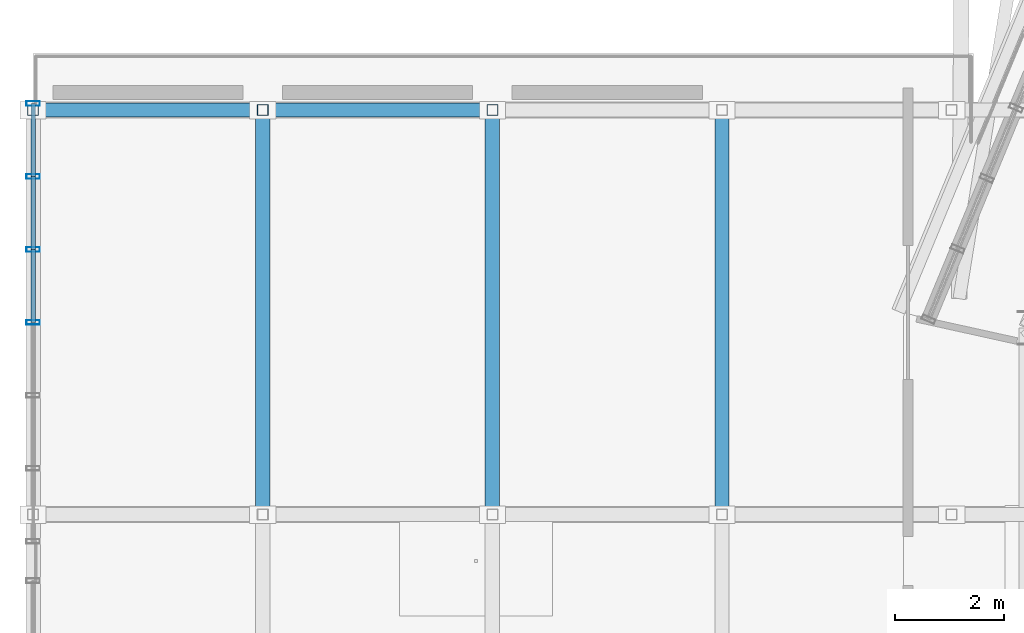
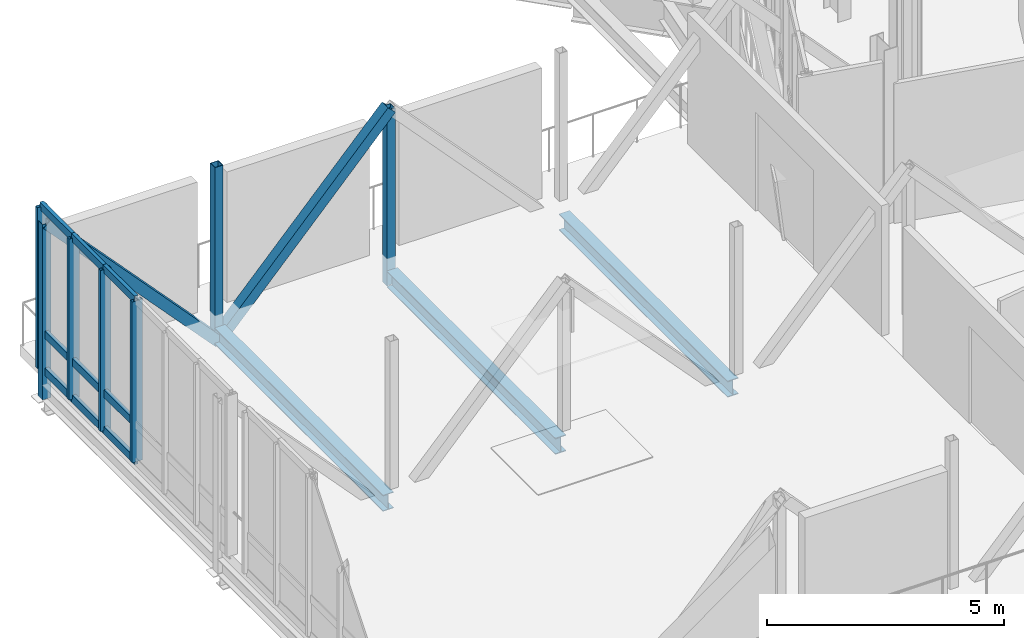
# One storey, part 50 of 139: 18 members, 3 beams, 1 element without a shape of its own.
"""IFC4 building model written with IfcOpenShell, lengths in metres."""

from ifc_helpers import new_model, si_unit, derived_unit, direction, frame, origin, origin_2d, place, context, subcontext, project, spatial, hollow_rectangle, i_section, extrude, material, layer, layer_set, material_profile, profile_set, type_object, element, aggregate, save


model = new_model("IFC4")

# Units and contexts
model_context = context("Model", 3, precision=1e-05, world=origin(), true_north=direction((0.0, 1.0)))
body_context = subcontext(model_context, "Body", "Model", "MODEL_VIEW")
ifc_project = project(units=[si_unit("LENGTHUNIT", "METRE"), si_unit("AREAUNIT", "SQUARE_METRE"), si_unit("VOLUMEUNIT", "CUBIC_METRE"), si_unit("PLANEANGLEUNIT", "RADIAN"), si_unit("MASSUNIT", "GRAM", prefix="KILO"), derived_unit("THERMALTRANSMITTANCEUNIT", [(si_unit("MASSUNIT", "GRAM", prefix="KILO"), 1), (si_unit("TIMEUNIT", "SECOND"), -3), (si_unit("THERMODYNAMICTEMPERATUREUNIT", "KELVIN"), -1)])], contexts=[model_context])

# Site, building, storey
site_placement = place(None, origin())
site = spatial("IfcSite", under=ifc_project, at=site_placement, CompositionType="ELEMENT")
building_placement = place(site_placement, origin())
building = spatial("IfcBuilding", under=site, at=building_placement, Name="Makaiwela Harbour Ferry Terminal", CompositionType="ELEMENT")
storey_placement = place(building_placement, frame((0.0, 0.0, 5.10009765625)))
storey = spatial("IfcBuildingStorey", under=building, at=storey_placement, Name="L01", CompositionType="ELEMENT", Elevation=5.10009765625)

# Curtain wall, members
ifc_material_1 = material(Name="Marine anodised aluminium 6063-T6", Category="aluminium")
ifc_layer = layer(ifc_material_1, 0.199951171875)
ifc_layer_set = layer_set([ifc_layer], Name="Marine anodised aluminium 6063-T6")
curtain_wall_type = type_object("IfcCurtainWallType", Name="ENV-CW-22", PredefinedType="USERDEFINED", material=ifc_layer_set)
curtain_wall_placement = place(storey_placement, origin())
curtain_wall = element("IfcCurtainWall", 1, at=curtain_wall_placement, inside=storey, type_object=curtain_wall_type, Name="Unitised Curtain Wall CWA-137", ObjectType="UNITIZED CURTAIN WALL", PredefinedType="USERDEFINED")
ifc_material_profile_1 = material_profile(ifc_material_1, hollow_rectangle(XDim=0.0849609375, YDim=0.25, WallThickness=0.0048828125, at=origin_2d()), Name="CWM-250X85")
ifc_profile_set_1 = profile_set([ifc_material_profile_1], Name="Marine anodised aluminium 6063-T6")
member_type_1 = type_object("IfcMemberType", Name="CW-MUL-250", PredefinedType="MULLION", material=ifc_profile_set_1)
member_1_placement = place(storey_placement, frame((0.0, 71.965087890625, 0.0), z_axis=(0.0, 0.0, 1.0), x_axis=(0.0, 1.0, 0.0)))
member_1 = element("IfcMember", 2, at=member_1_placement, type_object=member_type_1, Name="Curtain Wall Mullion CWA-137-4", PredefinedType="MULLION", context=body_context, shape_type="SweptSolid", body=[
    extrude(hollow_rectangle(XDim=0.0849609375, YDim=0.25, WallThickness=0.0048828125, at=origin_2d()), origin(), (0.0, 0.0, 1.0), 4.14990234375),
])
member_2_placement = place(storey_placement, frame((0.0, 73.300048828125, 0.0), z_axis=(0.0, 0.0, 1.0), x_axis=(0.0, 1.0, 0.0)))
member_2 = element("IfcMember", 3, at=member_2_placement, type_object=member_type_1, Name="Curtain Wall Mullion CWA-137-5", PredefinedType="MULLION", context=body_context, shape_type="SweptSolid", body=[
    extrude(hollow_rectangle(XDim=0.0849609375, YDim=0.25, WallThickness=0.0048828125, at=origin_2d()), origin(), (0.0, 0.0, 1.0), 4.14990234375),
])
member_3_placement = place(storey_placement, frame((0.0, 74.635009765625, 0.0), z_axis=(0.0, 0.0, 1.0), x_axis=(0.0, 1.0, 0.0)))
member_3 = element("IfcMember", 4, at=member_3_placement, type_object=member_type_1, Name="Curtain Wall Mullion CWA-137-6", PredefinedType="MULLION", context=body_context, shape_type="SweptSolid", body=[
    extrude(hollow_rectangle(XDim=0.0849609375, YDim=0.25, WallThickness=0.0048828125, at=origin_2d()), origin(), (0.0, 0.0, 1.0), 4.14990234375),
])
member_4_placement = place(storey_placement, frame((0.0, 75.969970703125, 0.0), z_axis=(0.0, 0.0, 1.0), x_axis=(0.0, 1.0, 0.0)))
member_4 = element("IfcMember", 5, at=member_4_placement, type_object=member_type_1, Name="Curtain Wall Mullion CWA-137-7", PredefinedType="MULLION", context=body_context, shape_type="SweptSolid", body=[
    extrude(hollow_rectangle(XDim=0.0849609375, YDim=0.25, WallThickness=0.0048828125, at=origin_2d()), origin(), (0.0, 0.0, 1.0), 4.14990234375),
])
ifc_material_profile_2 = material_profile(ifc_material_1, hollow_rectangle(XDim=0.0849609375, YDim=0.199951171875, WallThickness=0.0048828125, at=origin_2d()), Name="CWT-200X85")
ifc_profile_set_2 = profile_set([ifc_material_profile_2], Name="Marine anodised aluminium 6063-T6")
member_type_2 = type_object("IfcMemberType", Name="CW-TRN-200", PredefinedType="USERDEFINED", material=ifc_profile_set_2)
member_5_placement = place(storey_placement, frame((0.0, 71.965087890625, 0.0), z_axis=(0.0, 1.0, 0.0), x_axis=(-1.0, 0.0, 0.0)))
member_5 = element("IfcMember", 6, at=member_5_placement, type_object=member_type_2, Name="Curtain Wall Transom CWA-137-4-1", ObjectType="TRANSOM", PredefinedType="USERDEFINED", context=body_context, shape_type="SweptSolid", body=[
    extrude(hollow_rectangle(XDim=0.0849609375, YDim=0.199951171875, WallThickness=0.0048828125, at=origin_2d()), origin(), (0.0, 0.0, 1.0), 1.3349609375),
])
member_6_placement = place(storey_placement, frame((0.0, 71.965087890625, 0.949951171875), z_axis=(0.0, 1.0, 0.0), x_axis=(-1.0, 0.0, 0.0)))
member_6 = element("IfcMember", 7, at=member_6_placement, type_object=member_type_2, Name="Curtain Wall Transom CWA-137-4-2", ObjectType="TRANSOM", PredefinedType="USERDEFINED", context=body_context, shape_type="SweptSolid", body=[
    extrude(hollow_rectangle(XDim=0.0849609375, YDim=0.199951171875, WallThickness=0.0048828125, at=origin_2d()), origin(), (0.0, 0.0, 1.0), 1.3349609375),
])
member_7_placement = place(storey_placement, frame((0.0, 71.965087890625, 4.14990234375), z_axis=(0.0, 1.0, 0.0), x_axis=(-1.0, 0.0, 0.0)))
member_7 = element("IfcMember", 8, at=member_7_placement, type_object=member_type_2, Name="Curtain Wall Transom CWA-137-4-3", ObjectType="TRANSOM", PredefinedType="USERDEFINED", context=body_context, shape_type="SweptSolid", body=[
    extrude(hollow_rectangle(XDim=0.0849609375, YDim=0.199951171875, WallThickness=0.0048828125, at=origin_2d()), origin(), (0.0, 0.0, 1.0), 1.3349609375),
])
member_8_placement = place(storey_placement, frame((0.0, 73.300048828125, 0.0), z_axis=(0.0, 1.0, 0.0), x_axis=(-1.0, 0.0, 0.0)))
member_8 = element("IfcMember", 9, at=member_8_placement, type_object=member_type_2, Name="Curtain Wall Transom CWA-137-5-1", ObjectType="TRANSOM", PredefinedType="USERDEFINED", context=body_context, shape_type="SweptSolid", body=[
    extrude(hollow_rectangle(XDim=0.0849609375, YDim=0.199951171875, WallThickness=0.0048828125, at=origin_2d()), origin(), (0.0, 0.0, 1.0), 1.3349609375),
])
member_9_placement = place(storey_placement, frame((0.0, 73.300048828125, 0.949951171875), z_axis=(0.0, 1.0, 0.0), x_axis=(-1.0, 0.0, 0.0)))
member_9 = element("IfcMember", 10, at=member_9_placement, type_object=member_type_2, Name="Curtain Wall Transom CWA-137-5-2", ObjectType="TRANSOM", PredefinedType="USERDEFINED", context=body_context, shape_type="SweptSolid", body=[
    extrude(hollow_rectangle(XDim=0.0849609375, YDim=0.199951171875, WallThickness=0.0048828125, at=origin_2d()), origin(), (0.0, 0.0, 1.0), 1.3349609375),
])
member_10_placement = place(storey_placement, frame((0.0, 73.300048828125, 4.14990234375), z_axis=(0.0, 1.0, 0.0), x_axis=(-1.0, 0.0, 0.0)))
member_10 = element("IfcMember", 11, at=member_10_placement, type_object=member_type_2, Name="Curtain Wall Transom CWA-137-5-3", ObjectType="TRANSOM", PredefinedType="USERDEFINED", context=body_context, shape_type="SweptSolid", body=[
    extrude(hollow_rectangle(XDim=0.0849609375, YDim=0.199951171875, WallThickness=0.0048828125, at=origin_2d()), origin(), (0.0, 0.0, 1.0), 1.3349609375),
])
member_11_placement = place(storey_placement, frame((0.0, 74.635009765625, 0.0), z_axis=(0.0, 1.0, 0.0), x_axis=(-1.0, 0.0, 0.0)))
member_11 = element("IfcMember", 12, at=member_11_placement, type_object=member_type_2, Name="Curtain Wall Transom CWA-137-6-1", ObjectType="TRANSOM", PredefinedType="USERDEFINED", context=body_context, shape_type="SweptSolid", body=[
    extrude(hollow_rectangle(XDim=0.0849609375, YDim=0.199951171875, WallThickness=0.0048828125, at=origin_2d()), origin(), (0.0, 0.0, 1.0), 1.3349609375),
])
member_12_placement = place(storey_placement, frame((0.0, 74.635009765625, 0.949951171875), z_axis=(0.0, 1.0, 0.0), x_axis=(-1.0, 0.0, 0.0)))
member_12 = element("IfcMember", 13, at=member_12_placement, type_object=member_type_2, Name="Curtain Wall Transom CWA-137-6-2", ObjectType="TRANSOM", PredefinedType="USERDEFINED", context=body_context, shape_type="SweptSolid", body=[
    extrude(hollow_rectangle(XDim=0.0849609375, YDim=0.199951171875, WallThickness=0.0048828125, at=origin_2d()), origin(), (0.0, 0.0, 1.0), 1.3349609375),
])
member_13_placement = place(storey_placement, frame((0.0, 74.635009765625, 4.14990234375), z_axis=(0.0, 1.0, 0.0), x_axis=(-1.0, 0.0, 0.0)))
member_13 = element("IfcMember", 14, at=member_13_placement, type_object=member_type_2, Name="Curtain Wall Transom CWA-137-6-3", ObjectType="TRANSOM", PredefinedType="USERDEFINED", context=body_context, shape_type="SweptSolid", body=[
    extrude(hollow_rectangle(XDim=0.0849609375, YDim=0.199951171875, WallThickness=0.0048828125, at=origin_2d()), origin(), (0.0, 0.0, 1.0), 1.3349609375),
])
aggregate(curtain_wall, [member_1, member_2, member_3, member_4, member_5, member_6, member_7, member_8, member_9, member_10, member_11, member_12, member_13])

# Members
ifc_material_2 = material(Name="Steel ASTM A500 Grade C", Category="steel")
ifc_material_profile_3 = material_profile(ifc_material_2, hollow_rectangle(XDim=0.25390625, YDim=0.25390625, WallThickness=0.0146484375, at=origin_2d()), Name="HSS10X10X5/8")
ifc_profile_set_3 = profile_set([ifc_material_profile_3], Name="Steel ASTM A500 Grade C")
member_type_3 = type_object("IfcMemberType", Name="STR-BRC-HSS10", PredefinedType="BRACE", material=ifc_profile_set_3)
for number, where, z_axis, x_axis, name in (
    (15, (8.39990234375, 75.85009765625, 3.814453125), (-0.680693892275, 0.0, -0.732567966144), (0.0, -1.0, 0.0), "Structural Member BR-01"),
    (16, (4.199951171875, 75.85009765625, -0.70556640625), (-0.680693892275, 0.0, 0.732567966144), (0.0, -1.0, 0.0), "Structural Member BR-01"),
):
    element("IfcMember", number, at=place(storey_placement, frame(where, z_axis=z_axis, x_axis=x_axis)), inside=storey, type_object=member_type_3, Name=name, PredefinedType="BRACE", context=body_context, shape_type="SweptSolid", body=[
        extrude(hollow_rectangle(XDim=0.25390625, YDim=0.25390625, WallThickness=0.0146484375, at=origin_2d()), origin(), (0.0, 0.0, 1.0), 6.170166015625),
    ])

# Beams
ifc_material_3 = material(Name="Steel ASTM A992 Grade 50", Category="steel")
ifc_material_profile_4 = material_profile(ifc_material_3, i_section(OverallWidth=0.260986328125, OverallDepth=0.4189453125, WebThickness=0.01171875, FlangeThickness=0.019287109375, at=origin_2d()), Name="W16X77")
ifc_profile_set_4 = profile_set([ifc_material_profile_4], Name="Steel ASTM A992 Grade 50")
beam_type = type_object("IfcBeamType", Name="STR-JST-W16X77", PredefinedType="JOIST", material=ifc_profile_set_4)
for number, where, z_axis, x_axis, name in (
    (17, (12.60009765625, 68.591064453125, -0.489501953125), (0.0, 1.0, 0.0), (-1.0, 0.0, 0.0), "Structural Beam J-02"),
    (18, (8.39990234375, 68.591064453125, -0.489501953125), (0.0, 1.0, 0.0), (-1.0, 0.0, 0.0), "Structural Beam J-02"),
    (19, (4.199951171875, 68.591064453125, -0.489501953125), (0.0, 1.0, 0.0), (-1.0, 0.0, 0.0), "Structural Beam J-02"),
):
    element("IfcBeam", number, at=place(storey_placement, frame(where, z_axis=z_axis, x_axis=x_axis)), inside=storey, type_object=beam_type, Name=name, PredefinedType="JOIST", context=body_context, shape_type="SweptSolid", body=[
        extrude(i_section(OverallWidth=0.260986328125, OverallDepth=0.4189453125, WebThickness=0.01171875, FlangeThickness=0.019287109375, at=origin_2d()), origin(), (0.0, 0.0, 1.0), 7.117919921875),
    ])

# Members
ifc_material_profile_5 = material_profile(ifc_material_2, hollow_rectangle(XDim=0.202880859375, YDim=0.202880859375, WallThickness=0.01171875, at=origin_2d()), Name="HSS8X8X1/2")
ifc_profile_set_5 = profile_set([ifc_material_profile_5], Name="Steel ASTM A500 Grade C")
member_type_4 = type_object("IfcMemberType", Name="STR-PST-HSS8", PredefinedType="POST", material=ifc_profile_set_5)
for number, where, z_axis, x_axis, name in (
    (20, (8.39990234375, 75.85009765625, -0.70556640625), (0.0, 0.0, 1.0), (1.0, 0.0, 0.0), "Structural Member PS-01"),
    (21, (4.199951171875, 75.85009765625, -0.70556640625), (0.0, 0.0, 1.0), (1.0, 0.0, 0.0), "Structural Member PS-01"),
    (22, (0.0, 75.85009765625, -0.70556640625), (0.0, 0.0, 1.0), (1.0, 0.0, 0.0), "Structural Member PS-01"),
):
    element("IfcMember", number, at=place(storey_placement, frame(where, z_axis=z_axis, x_axis=x_axis)), inside=storey, type_object=member_type_4, Name=name, PredefinedType="POST", context=body_context, shape_type="SweptSolid", body=[
        extrude(hollow_rectangle(XDim=0.202880859375, YDim=0.202880859375, WallThickness=0.01171875, at=origin_2d()), origin(), (0.0, 0.0, 1.0), 4.52001953125),
    ])

save(model, "model.ifc")
